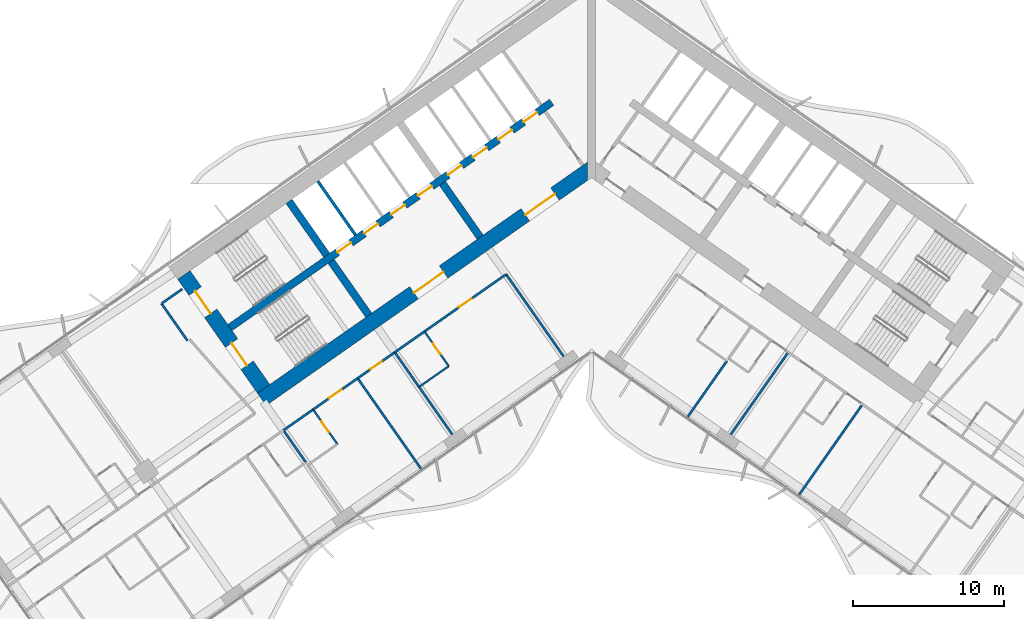
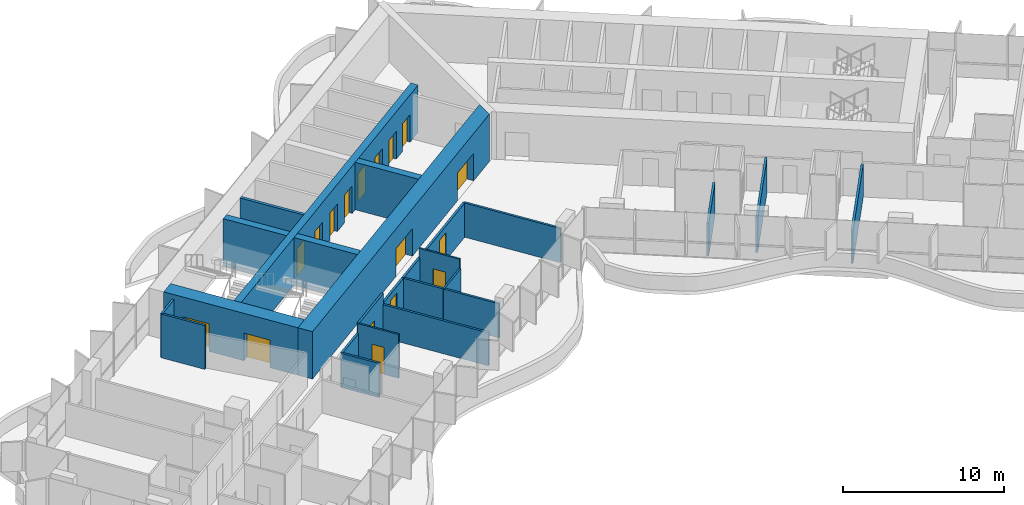
# One storey, part 14 of 24: 25 walls, 17 doors, 17 openings.
"""IFC4 building model written with IfcOpenShell, lengths in metres."""

from ifc_helpers import new_model, si_unit, direction, frame, frame_2d, origin, place, context, subcontext, project, spatial, polyline, rectangle, outline, extrude, material, layer, layer_set, type_object, element, fill, save


model = new_model("IFC4")

# Units and contexts
model_context = context("Model", 3, precision=1e-05, world=origin(), true_north=direction((0.0, 1.0)))
body_context = subcontext(model_context, "Body", "Model", "MODEL_VIEW")
ifc_project = project(units=[si_unit("LENGTHUNIT", "METRE"), si_unit("AREAUNIT", "SQUARE_METRE"), si_unit("VOLUMEUNIT", "CUBIC_METRE"), si_unit("PLANEANGLEUNIT", "RADIAN"), si_unit("MASSUNIT", "GRAM", prefix="KILO")], contexts=[model_context])

# Site, building, storey
site_placement = place(None, origin())
site = spatial("IfcSite", under=ifc_project, at=site_placement, CompositionType="ELEMENT")
building_placement = place(site_placement, origin())
building = spatial("IfcBuilding", under=site, at=building_placement, Name="Tel Ilan Convention Tower", CompositionType="ELEMENT")
storey_placement = place(building_placement, frame((0.0, 0.0, 65.300048828125)))
storey = spatial("IfcBuildingStorey", under=building, at=storey_placement, Name="L11", CompositionType="ELEMENT", Elevation=65.300048828125)

# Wall, openings, doors
ifc_material_1 = material(Name="Concrete C60/75", Category="concrete")
ifc_layer_1 = layer(ifc_material_1, 1.0)
ifc_layer_set_1 = layer_set([ifc_layer_1], Name="Core Shear Wall 1000 mm C60/75")
wall_type_1 = type_object("IfcWallType", Name="Core Shear Wall 1000 mm C60/75", PredefinedType="SHEAR", material=ifc_layer_set_1)
wall_1_placement = place(storey_placement, frame((0.036865234375, -0.584716796875, 0.0), z_axis=(0.0, 0.0, 1.0), x_axis=(-0.819157152511, -0.573569140985, 0.0)))
wall_1 = element("IfcWall", 1, at=wall_1_placement, inside=storey, type_object=wall_type_1, Name="L11 core wall W-front", PredefinedType="SHEAR", context=body_context, shape_type="SweptSolid", body=[
    extrude(outline(polyline([(26.69482421875, 0.500244140625), (0.7001953125, 0.499755859375), (0.0, -0.5), (26.69482421875, -0.499755859375), (26.69482421875, 0.500244140625)])), origin(), (0.0, 0.0, 1.0), 3.599853515625),
])
opening_1_placement = place(wall_1_placement, frame((2.994873046875, 0.0, 0.0)))
opening_1 = element("IfcOpeningElement", 2, at=opening_1_placement, cuts=wall_1, Name="Opening CD1205", PredefinedType="OPENING", context=body_context, shape_type="SweptSolid", body=[
    extrude(rectangle(XDim=2.39990234375, YDim=2.10009765625, at=frame_2d((1.199951171875, 1.050048828125))), frame((0.0, 0.510009765625, 0.0), z_axis=(0.0, -1.0, 0.0), x_axis=(1.0, 0.0, 0.0)), (0.0, 0.0, 1.0), 1.02001953125),
])
opening_2_placement = place(wall_1_placement, frame((11.994873046875, 0.0, 0.0)))
opening_2 = element("IfcOpeningElement", 3, at=opening_2_placement, cuts=wall_1, Name="Opening CD1206", PredefinedType="OPENING", context=body_context, shape_type="SweptSolid", body=[
    extrude(rectangle(XDim=2.39990234375, YDim=2.10009765625, at=frame_2d((1.199951171875, 1.050048828125))), frame((0.0, 0.510009765625, 0.0), z_axis=(0.0, -1.0, 0.0), x_axis=(1.0, 0.0, 0.0)), (0.0, 0.0, 1.0), 1.02001953125),
])
ifc_material_2 = material(Name="Glazed Aluminium Door Leaf", Category="aluminium")
door_type_1 = type_object("IfcDoorType", Name="Lobby Opening Door 2400 x 2100 FD60S", OperationType="NOTDEFINED", PredefinedType="DOOR", material=ifc_material_2)
door_1_placement = place(opening_1_placement, origin())
door_1 = element("IfcDoor", 4, at=door_1_placement, inside=storey, type_object=door_type_1, Name="Lift Lobby LR1-LR4 opening", OperationType="DOUBLE_DOOR_SINGLE_SWING", OverallHeight=2.10009765625, OverallWidth=2.39990234375, PredefinedType="DOOR", context=body_context, shape_type="SweptSolid", body=[
    extrude(rectangle(XDim=2.39990234375, YDim=2.10009765625, at=frame_2d((1.199951171875, 1.050048828125))), frame((0.0, 0.02490234375, 0.0), z_axis=(0.0, -1.0, 0.0), x_axis=(1.0, 0.0, 0.0)), (0.0, 0.0, 1.0), 0.050048828125),
])
fill(opening_1, door_1)
door_2_placement = place(opening_2_placement, origin())
door_2 = element("IfcDoor", 5, at=door_2_placement, inside=storey, type_object=door_type_1, Name="Lift Lobby LR5-LR8 opening", OperationType="DOUBLE_DOOR_SINGLE_SWING", OverallHeight=2.10009765625, OverallWidth=2.39990234375, PredefinedType="DOOR", context=body_context, shape_type="SweptSolid", body=[
    extrude(rectangle(XDim=2.39990234375, YDim=2.10009765625, at=frame_2d((1.199951171875, 1.050048828125))), frame((0.0, 0.02490234375, 0.0), z_axis=(0.0, -1.0, 0.0), x_axis=(1.0, 0.0, 0.0)), (0.0, 0.0, 1.0), 0.050048828125),
])
fill(opening_2, door_2)

wall_2_placement = place(storey_placement, frame((-21.70751953125, -15.19970703125, 0.0), z_axis=(0.0, 0.0, 1.0), x_axis=(-0.573576324356, 0.819152122709, 0.0)))
wall_2 = element("IfcWall", 6, at=wall_2_placement, inside=storey, type_object=wall_type_1, Name="L11 core wall W-end", PredefinedType="SHEAR", context=body_context, shape_type="SweptSolid", body=[
    extrude(outline(polyline([(0.0, 0.5), (0.0, -0.5), (9.199951171875, -0.5), (9.199951171875, 0.5), (0.0, 0.5)])), origin(), (0.0, 0.0, 1.0), 3.599853515625),
])
opening_3_placement = place(wall_2_placement, frame((6.10009765625, 0.0, 0.0)))
opening_3 = element("IfcOpeningElement", 7, at=opening_3_placement, cuts=wall_2, Name="Opening SD1201", PredefinedType="OPENING", context=body_context, shape_type="SweptSolid", body=[
    extrude(rectangle(XDim=1.800048828125, YDim=2.10009765625, at=frame_2d((0.89990234375, 1.050048828125))), frame((0.0, 0.510009765625, 0.0), z_axis=(0.0, -1.0, 0.0), x_axis=(1.0, 0.0, 0.0)), (0.0, 0.0, 1.0), 1.02001953125),
])
opening_4_placement = place(wall_2_placement, frame((1.89990234375, 0.0, 0.0)))
opening_4 = element("IfcOpeningElement", 8, at=opening_4_placement, cuts=wall_2, Name="Opening SD1202", PredefinedType="OPENING", context=body_context, shape_type="SweptSolid", body=[
    extrude(rectangle(XDim=1.800048828125, YDim=2.10009765625, at=frame_2d((0.89990234375, 1.050048828125))), frame((0.0, 0.510009765625, 0.0), z_axis=(0.0, -1.0, 0.0), x_axis=(1.0, 0.0, 0.0)), (0.0, 0.0, 1.0), 1.02001953125),
])
ifc_material_3 = material(Name="Galvanised Steel Door Leaf", Category="steel")
door_type_2 = type_object("IfcDoorType", Name="Stair Fire Door 1800 x 2100 FD60S", OperationType="NOTDEFINED", PredefinedType="DOOR", material=ifc_material_3)
door_3_placement = place(opening_3_placement, origin())
door_3 = element("IfcDoor", 9, at=door_3_placement, inside=storey, type_object=door_type_2, Name="Stair S1 door", OperationType="DOUBLE_DOOR_SINGLE_SWING", OverallHeight=2.10009765625, OverallWidth=1.800048828125, PredefinedType="DOOR", context=body_context, shape_type="SweptSolid", body=[
    extrude(rectangle(XDim=1.800048828125, YDim=2.10009765625, at=frame_2d((0.89990234375, 1.050048828125))), frame((0.0, 0.02490234375, 0.0), z_axis=(0.0, -1.0, 0.0), x_axis=(1.0, 0.0, 0.0)), (0.0, 0.0, 1.0), 0.050048828125),
])
fill(opening_3, door_3)
door_4_placement = place(opening_4_placement, origin())
door_4 = element("IfcDoor", 10, at=door_4_placement, inside=storey, type_object=door_type_2, Name="Stair S2 door", OperationType="DOUBLE_DOOR_SINGLE_SWING", OverallHeight=2.10009765625, OverallWidth=1.800048828125, PredefinedType="DOOR", context=body_context, shape_type="SweptSolid", body=[
    extrude(rectangle(XDim=1.800048828125, YDim=2.10009765625, at=frame_2d((0.89990234375, 1.050048828125))), frame((0.0, 0.02490234375, 0.0), z_axis=(0.0, -1.0, 0.0), x_axis=(1.0, 0.0, 0.0)), (0.0, 0.0, 1.0), 0.050048828125),
])
fill(opening_4, door_4)

# Walls
ifc_material_4 = material(Name="Concrete C60/75", Category="concrete")
ifc_layer_2 = layer(ifc_material_4, 0.5)
ifc_layer_set_2 = layer_set([ifc_layer_2], Name="Core Shear Wall 500 mm C60/75")
wall_type_2 = type_object("IfcWallType", Name="Core Shear Wall 500 mm C60/75", PredefinedType="SHEAR", material=ifc_layer_set_2)
wall_3_placement = place(storey_placement, frame((-7.372314453125, -5.162109375, 0.0), z_axis=(0.0, 0.0, 1.0), x_axis=(-0.573594173421, 0.819139624372, 0.0)))
element("IfcWall", 11, at=wall_3_placement, inside=storey, type_object=wall_type_2, Name="L11 core wall W-cross1-1", PredefinedType="SHEAR", context=body_context, shape_type="SweptSolid", body=[
    extrude(outline(polyline([(4.349853515625, 0.25), (0.0, 0.250244140625), (0.0, -0.25), (4.349853515625, -0.25), (4.349853515625, 0.25)])), origin(), (0.0, 0.0, 1.0), 3.599853515625),
])
wall_4_placement = place(storey_placement, frame((-14.74462890625, -10.324462890625, 0.0), z_axis=(0.0, 0.0, 1.0), x_axis=(-0.57356780395, 0.819158088694, 0.0)))
element("IfcWall", 12, at=wall_4_placement, inside=storey, type_object=wall_type_2, Name="L11 core wall W-cross2-1", PredefinedType="SHEAR", context=body_context, shape_type="SweptSolid", body=[
    extrude(outline(polyline([(4.35009765625, 0.250244140625), (0.0, 0.25), (0.0, -0.25), (4.35009765625, -0.25), (4.35009765625, 0.250244140625)])), origin(), (0.0, 0.0, 1.0), 3.599853515625),
])
wall_5_placement = place(storey_placement, frame((-17.526611328125, -6.3515625, 0.0), z_axis=(0.0, 0.0, 1.0), x_axis=(-0.573530143085, 0.819184457233, 0.0)))
element("IfcWall", 13, at=wall_5_placement, inside=storey, type_object=wall_type_2, Name="L11 core wall W-cross2-2", PredefinedType="SHEAR", context=body_context, shape_type="SweptSolid", body=[
    extrude(outline(polyline([(4.35009765625, -0.249755859375), (4.35009765625, 0.250244140625), (0.0, 0.25), (0.0, -0.25), (4.35009765625, -0.249755859375)])), origin(), (0.0, 0.0, 1.0), 3.599853515625),
])

# Wall, openings, doors
wall_6_placement = place(storey_placement, frame((-2.638427734375, 3.76806640625, 0.0), z_axis=(0.0, 0.0, 1.0), x_axis=(-0.819148977158, -0.573580816643, 0.0)))
wall_6 = element("IfcWall", 14, at=wall_6_placement, inside=storey, type_object=wall_type_2, Name="L11 core wall W-spine", PredefinedType="SHEAR", context=body_context, shape_type="SweptSolid", body=[
    extrude(outline(polyline([(26.0, 0.249755859375), (0.0, 0.25), (0.0, -0.25), (26.0, -0.250244140625), (26.0, 0.249755859375)])), origin(), (0.0, 0.0, 1.0), 3.599853515625),
])
opening_5_placement = place(wall_6_placement, frame((1.168701171875, 0.0, 0.0)))
opening_5 = element("IfcOpeningElement", 15, at=opening_5_placement, cuts=wall_6, Name="Opening LD1204", PredefinedType="OPENING", context=body_context, shape_type="SweptSolid", body=[
    extrude(rectangle(XDim=1.10009765625, YDim=2.10009765625, at=frame_2d((0.550048828125, 1.050048828125))), frame((0.0, 0.260009765625, 0.0), z_axis=(0.0, -1.0, 0.0), x_axis=(1.0, 0.0, 0.0)), (0.0, 0.0, 1.0), 0.52001953125),
])
opening_6_placement = place(wall_6_placement, frame((3.206298828125, 0.0, 0.0)))
opening_6 = element("IfcOpeningElement", 16, at=opening_6_placement, cuts=wall_6, Name="Opening LD1205", PredefinedType="OPENING", context=body_context, shape_type="SweptSolid", body=[
    extrude(rectangle(XDim=1.10009765625, YDim=2.10009765625, at=frame_2d((0.550048828125, 1.050048828125))), frame((0.0, 0.260009765625, 0.0), z_axis=(0.0, -1.0, 0.0), x_axis=(1.0, 0.0, 0.0)), (0.0, 0.0, 1.0), 0.52001953125),
])
opening_7_placement = place(wall_6_placement, frame((5.24365234375, 0.0, 0.0)))
opening_7 = element("IfcOpeningElement", 17, at=opening_7_placement, cuts=wall_6, Name="Opening LD1206", PredefinedType="OPENING", context=body_context, shape_type="SweptSolid", body=[
    extrude(rectangle(XDim=1.10009765625, YDim=2.10009765625, at=frame_2d((0.550048828125, 1.050048828125))), frame((0.0, 0.260009765625, 0.0), z_axis=(0.0, -1.0, 0.0), x_axis=(1.0, 0.0, 0.0)), (0.0, 0.0, 1.0), 0.52001953125),
])
opening_8_placement = place(wall_6_placement, frame((7.28125, 0.0, 0.0)))
opening_8 = element("IfcOpeningElement", 18, at=opening_8_placement, cuts=wall_6, Name="Opening LD1207", PredefinedType="OPENING", context=body_context, shape_type="SweptSolid", body=[
    extrude(rectangle(XDim=1.10009765625, YDim=2.10009765625, at=frame_2d((0.550048828125, 1.050048828125))), frame((0.0, 0.260009765625, 0.0), z_axis=(0.0, -1.0, 0.0), x_axis=(1.0, 0.0, 0.0)), (0.0, 0.0, 1.0), 0.52001953125),
])
opening_9_placement = place(wall_6_placement, frame((9.6875, 0.0, 0.0)))
opening_9 = element("IfcOpeningElement", 19, at=opening_9_placement, cuts=wall_6, Name="Opening LD1208", PredefinedType="OPENING", context=body_context, shape_type="SweptSolid", body=[
    extrude(rectangle(XDim=1.10009765625, YDim=2.10009765625, at=frame_2d((0.550048828125, 1.050048828125))), frame((0.0, 0.260009765625, 0.0), z_axis=(0.0, -1.0, 0.0), x_axis=(1.0, 0.0, 0.0)), (0.0, 0.0, 1.0), 0.52001953125),
])
opening_10_placement = place(wall_6_placement, frame((11.862548828125, 0.0, 0.0)))
opening_10 = element("IfcOpeningElement", 20, at=opening_10_placement, cuts=wall_6, Name="Opening LD1209", PredefinedType="OPENING", context=body_context, shape_type="SweptSolid", body=[
    extrude(rectangle(XDim=1.10009765625, YDim=2.10009765625, at=frame_2d((0.550048828125, 1.050048828125))), frame((0.0, 0.260009765625, 0.0), z_axis=(0.0, -1.0, 0.0), x_axis=(1.0, 0.0, 0.0)), (0.0, 0.0, 1.0), 0.52001953125),
])
opening_11_placement = place(wall_6_placement, frame((14.03759765625, 0.0, 0.0)))
opening_11 = element("IfcOpeningElement", 21, at=opening_11_placement, cuts=wall_6, Name="Opening LD1210", PredefinedType="OPENING", context=body_context, shape_type="SweptSolid", body=[
    extrude(rectangle(XDim=1.10009765625, YDim=2.10009765625, at=frame_2d((0.550048828125, 1.050048828125))), frame((0.0, 0.260009765625, 0.0), z_axis=(0.0, -1.0, 0.0), x_axis=(1.0, 0.0, 0.0)), (0.0, 0.0, 1.0), 0.52001953125),
])
opening_12_placement = place(wall_6_placement, frame((16.21240234375, 0.0, 0.0)))
opening_12 = element("IfcOpeningElement", 22, at=opening_12_placement, cuts=wall_6, Name="Opening LD1211", PredefinedType="OPENING", context=body_context, shape_type="SweptSolid", body=[
    extrude(rectangle(XDim=1.10009765625, YDim=2.10009765625, at=frame_2d((0.550048828125, 1.050048828125))), frame((0.0, 0.260009765625, 0.0), z_axis=(0.0, -1.0, 0.0), x_axis=(1.0, 0.0, 0.0)), (0.0, 0.0, 1.0), 0.52001953125),
])
ifc_material_5 = material(Name="Stainless Steel Sliding Door Leaf", Category="steel")
door_type_3 = type_object("IfcDoorType", Name="Lift Landing Door 1100 x 2100 FD120", OperationType="NOTDEFINED", PredefinedType="DOOR", material=ifc_material_5)
door_5_placement = place(opening_5_placement, origin())
door_5 = element("IfcDoor", 23, at=door_5_placement, inside=storey, type_object=door_type_3, Name="Lift LR1 landing door", OperationType="SLIDING_TO_LEFT", OverallHeight=2.10009765625, OverallWidth=1.10009765625, PredefinedType="DOOR", context=body_context, shape_type="SweptSolid", body=[
    extrude(rectangle(XDim=1.10009765625, YDim=2.10009765625, at=frame_2d((0.550048828125, 1.050048828125))), frame((0.0, 0.02490234375, 0.0), z_axis=(0.0, -1.0, 0.0), x_axis=(1.0, 0.0, 0.0)), (0.0, 0.0, 1.0), 0.050048828125),
])
fill(opening_5, door_5)
door_6_placement = place(opening_6_placement, origin())
door_6 = element("IfcDoor", 24, at=door_6_placement, inside=storey, type_object=door_type_3, Name="Lift LR2 landing door", OperationType="SLIDING_TO_RIGHT", OverallHeight=2.10009765625, OverallWidth=1.10009765625, PredefinedType="DOOR", context=body_context, shape_type="SweptSolid", body=[
    extrude(rectangle(XDim=1.10009765625, YDim=2.10009765625, at=frame_2d((0.550048828125, 1.050048828125))), frame((0.0, 0.02490234375, 0.0), z_axis=(0.0, -1.0, 0.0), x_axis=(1.0, 0.0, 0.0)), (0.0, 0.0, 1.0), 0.050048828125),
])
fill(opening_6, door_6)
door_7_placement = place(opening_7_placement, origin())
door_7 = element("IfcDoor", 25, at=door_7_placement, inside=storey, type_object=door_type_3, Name="Lift LR3 landing door", OperationType="SLIDING_TO_LEFT", OverallHeight=2.10009765625, OverallWidth=1.10009765625, PredefinedType="DOOR", context=body_context, shape_type="SweptSolid", body=[
    extrude(rectangle(XDim=1.10009765625, YDim=2.10009765625, at=frame_2d((0.550048828125, 1.050048828125))), frame((0.0, 0.02490234375, 0.0), z_axis=(0.0, -1.0, 0.0), x_axis=(1.0, 0.0, 0.0)), (0.0, 0.0, 1.0), 0.050048828125),
])
fill(opening_7, door_7)
door_8_placement = place(opening_8_placement, origin())
door_8 = element("IfcDoor", 26, at=door_8_placement, inside=storey, type_object=door_type_3, Name="Lift LR4 landing door", OperationType="SLIDING_TO_RIGHT", OverallHeight=2.10009765625, OverallWidth=1.10009765625, PredefinedType="DOOR", context=body_context, shape_type="SweptSolid", body=[
    extrude(rectangle(XDim=1.10009765625, YDim=2.10009765625, at=frame_2d((0.550048828125, 1.050048828125))), frame((0.0, 0.02490234375, 0.0), z_axis=(0.0, -1.0, 0.0), x_axis=(1.0, 0.0, 0.0)), (0.0, 0.0, 1.0), 0.050048828125),
])
fill(opening_8, door_8)
door_9_placement = place(opening_9_placement, origin())
door_9 = element("IfcDoor", 27, at=door_9_placement, inside=storey, type_object=door_type_3, Name="Lift LR5 landing door", OperationType="SLIDING_TO_LEFT", OverallHeight=2.10009765625, OverallWidth=1.10009765625, PredefinedType="DOOR", context=body_context, shape_type="SweptSolid", body=[
    extrude(rectangle(XDim=1.10009765625, YDim=2.10009765625, at=frame_2d((0.550048828125, 1.050048828125))), frame((0.0, 0.02490234375, 0.0), z_axis=(0.0, -1.0, 0.0), x_axis=(1.0, 0.0, 0.0)), (0.0, 0.0, 1.0), 0.050048828125),
])
fill(opening_9, door_9)
door_10_placement = place(opening_10_placement, origin())
door_10 = element("IfcDoor", 28, at=door_10_placement, inside=storey, type_object=door_type_3, Name="Lift LR6 landing door", OperationType="SLIDING_TO_RIGHT", OverallHeight=2.10009765625, OverallWidth=1.10009765625, PredefinedType="DOOR", context=body_context, shape_type="SweptSolid", body=[
    extrude(rectangle(XDim=1.10009765625, YDim=2.10009765625, at=frame_2d((0.550048828125, 1.050048828125))), frame((0.0, 0.02490234375, 0.0), z_axis=(0.0, -1.0, 0.0), x_axis=(1.0, 0.0, 0.0)), (0.0, 0.0, 1.0), 0.050048828125),
])
fill(opening_10, door_10)
door_11_placement = place(opening_11_placement, origin())
door_11 = element("IfcDoor", 29, at=door_11_placement, inside=storey, type_object=door_type_3, Name="Lift LR7 landing door", OperationType="SLIDING_TO_LEFT", OverallHeight=2.10009765625, OverallWidth=1.10009765625, PredefinedType="DOOR", context=body_context, shape_type="SweptSolid", body=[
    extrude(rectangle(XDim=1.10009765625, YDim=2.10009765625, at=frame_2d((0.550048828125, 1.050048828125))), frame((0.0, 0.02490234375, 0.0), z_axis=(0.0, -1.0, 0.0), x_axis=(1.0, 0.0, 0.0)), (0.0, 0.0, 1.0), 0.050048828125),
])
fill(opening_11, door_11)
door_12_placement = place(opening_12_placement, origin())
door_12 = element("IfcDoor", 30, at=door_12_placement, inside=storey, type_object=door_type_3, Name="Lift LR8 landing door", OperationType="SLIDING_TO_RIGHT", OverallHeight=2.10009765625, OverallWidth=1.10009765625, PredefinedType="DOOR", context=body_context, shape_type="SweptSolid", body=[
    extrude(rectangle(XDim=1.10009765625, YDim=2.10009765625, at=frame_2d((0.550048828125, 1.050048828125))), frame((0.0, 0.02490234375, 0.0), z_axis=(0.0, -1.0, 0.0), x_axis=(1.0, 0.0, 0.0)), (0.0, 0.0, 1.0), 0.050048828125),
])
fill(opening_12, door_12)

# Wall, opening, door
ifc_material_6 = material(Name="Plasterboard on Steel Studs", Category="steel")
ifc_layer_3 = layer(ifc_material_6, 0.14990234375)
ifc_layer_set_3 = layer_set([ifc_layer_3], Name="Fire-rated Partition 150 EI 60")
wall_type_3 = type_object("IfcWallType", Name="Fire-rated Partition 150 EI 60", PredefinedType="PARTITIONING", material=ifc_layer_set_3)
wall_7_placement = place(storey_placement, frame((-5.651611328125, -7.61962890625, 0.0), z_axis=(0.0, 0.0, 1.0), x_axis=(-0.819155459934, -0.573571558274, 0.0)))
wall_7 = element("IfcWall", 31, at=wall_7_placement, inside=storey, type_object=wall_type_3, Name="Partition 028", PredefinedType="PARTITIONING", context=body_context, shape_type="SweptSolid", body=[
    extrude(rectangle(XDim=6.60107421875, YDim=0.14990234375, at=frame_2d((3.300537109375, 0.0))), origin(), (0.0, 0.0, 1.0), 2.599853515625),
])
opening_13_placement = place(wall_7_placement, frame((2.800048828125, 0.0, 0.0)))
opening_13 = element("IfcOpeningElement", 32, at=opening_13_placement, cuts=wall_7, Name="Opening L11-002", PredefinedType="OPENING", context=body_context, shape_type="SweptSolid", body=[
    extrude(rectangle(XDim=1.0, YDim=2.10009765625, at=frame_2d((0.5, 1.050048828125))), frame((0.0, 0.0849609375, 0.0), z_axis=(0.0, -1.0, 0.0), x_axis=(1.0, 0.0, 0.0)), (0.0, 0.0, 1.0), 0.169921875),
])
ifc_material_7 = material(Name="Timber Door Leaf in Steel Frame", Category="steel")
door_type_4 = type_object("IfcDoorType", Name="Hotel Room Entrance Fire Door 1000x2100", OperationType="NOTDEFINED", PredefinedType="DOOR", material=ifc_material_7)
door_13_placement = place(opening_13_placement, origin())
door_13 = element("IfcDoor", 33, at=door_13_placement, inside=storey, type_object=door_type_4, Name="Door L11-002", OperationType="SINGLE_SWING_LEFT", OverallHeight=2.10009765625, OverallWidth=1.0, PredefinedType="DOOR", context=body_context, shape_type="SweptSolid", body=[
    extrude(rectangle(XDim=1.0, YDim=2.10009765625, at=frame_2d((0.5, 1.050048828125))), frame((0.0, 0.02490234375, 0.0), z_axis=(0.0, -1.0, 0.0), x_axis=(1.0, 0.0, 0.0)), (0.0, 0.0, 1.0), 0.050048828125),
])
fill(opening_13, door_13)

# Wall
wall_8_placement = place(storey_placement, frame((-11.056396484375, -11.404052734375, 0.0), z_axis=(0.0, 0.0, 1.0), x_axis=(-0.819146032251, -0.573585022335, 0.0)))
element("IfcWall", 34, at=wall_8_placement, inside=storey, type_object=wall_type_3, Name="Partition 029", PredefinedType="PARTITIONING", context=body_context, shape_type="SweptSolid", body=[
    extrude(rectangle(XDim=2.404052734375, YDim=0.14990234375, at=frame_2d((1.2021484375, 0.0))), origin(), (0.0, 0.0, 1.0), 2.599853515625),
])

# Wall, opening, door
wall_9_placement = place(storey_placement, frame((-13.0224609375, -12.78076171875, 0.0), z_axis=(0.0, 0.0, 1.0), x_axis=(-0.81916700466, -0.573555070134, 0.0)))
wall_9 = element("IfcWall", 35, at=wall_9_placement, inside=storey, type_object=wall_type_3, Name="Partition 030", PredefinedType="PARTITIONING", context=body_context, shape_type="SweptSolid", body=[
    extrude(rectangle(XDim=3.00390625, YDim=0.14990234375, at=frame_2d((1.501953125, 0.0))), origin(), (0.0, 0.0, 1.0), 2.599853515625),
])
opening_14_placement = place(wall_9_placement, frame((1.052001953125, 0.0, 0.0)))
opening_14 = element("IfcOpeningElement", 36, at=opening_14_placement, cuts=wall_9, Name="Opening L11-003", PredefinedType="OPENING", context=body_context, shape_type="SweptSolid", body=[
    extrude(rectangle(XDim=0.89990234375, YDim=2.10009765625, at=frame_2d((0.449951171875, 1.050048828125))), frame((0.0, 0.0849609375, 0.0), z_axis=(0.0, -1.0, 0.0), x_axis=(1.0, 0.0, 0.0)), (0.0, 0.0, 1.0), 0.169921875),
])
ifc_material_8 = material(Name="Timber Door Leaf in Steel Frame", Category="steel")
door_type_5 = type_object("IfcDoorType", Name="Room Fire Door 900x2100", OperationType="NOTDEFINED", PredefinedType="DOOR", material=ifc_material_8)
door_14_placement = place(opening_14_placement, origin())
door_14 = element("IfcDoor", 37, at=door_14_placement, inside=storey, type_object=door_type_5, Name="Door L11-003", OperationType="SINGLE_SWING_RIGHT", OverallHeight=2.10009765625, OverallWidth=0.89990234375, PredefinedType="DOOR", context=body_context, shape_type="SweptSolid", body=[
    extrude(rectangle(XDim=0.89990234375, YDim=2.10009765625, at=frame_2d((0.449951171875, 1.050048828125))), frame((0.0, 0.02490234375, 0.0), z_axis=(0.0, -1.0, 0.0), x_axis=(1.0, 0.0, 0.0)), (0.0, 0.0, 1.0), 0.050048828125),
])
fill(opening_14, door_14)

wall_10_placement = place(storey_placement, frame((-15.479736328125, -14.50146484375, 0.0), z_axis=(0.0, 0.0, 1.0), x_axis=(-0.819145961204, -0.573585123798, 0.0)))
wall_10 = element("IfcWall", 38, at=wall_10_placement, inside=storey, type_object=wall_type_3, Name="Partition 031", PredefinedType="PARTITIONING", context=body_context, shape_type="SweptSolid", body=[
    extrude(rectangle(XDim=3.60302734375, YDim=0.14990234375, at=frame_2d((1.801513671875, 0.0))), origin(), (0.0, 0.0, 1.0), 3.320068359375),
])
opening_15_placement = place(wall_10_placement, frame((1.302001953125, 0.0, 0.0)))
opening_15 = element("IfcOpeningElement", 39, at=opening_15_placement, cuts=wall_10, Name="Opening L11-005", PredefinedType="OPENING", context=body_context, shape_type="SweptSolid", body=[
    extrude(rectangle(XDim=1.0, YDim=2.10009765625, at=frame_2d((0.5, 1.050048828125))), frame((0.0, 0.0849609375, 0.0), z_axis=(0.0, -1.0, 0.0), x_axis=(1.0, 0.0, 0.0)), (0.0, 0.0, 1.0), 0.169921875),
])
door_15_placement = place(opening_15_placement, origin())
door_15 = element("IfcDoor", 40, at=door_15_placement, inside=storey, type_object=door_type_4, Name="Door L11-005", OperationType="SINGLE_SWING_LEFT", OverallHeight=2.10009765625, OverallWidth=1.0, PredefinedType="DOOR", context=body_context, shape_type="SweptSolid", body=[
    extrude(rectangle(XDim=1.0, YDim=2.10009765625, at=frame_2d((0.5, 1.050048828125))), frame((0.0, 0.02490234375, 0.0), z_axis=(0.0, -1.0, 0.0), x_axis=(1.0, 0.0, 0.0)), (0.0, 0.0, 1.0), 0.050048828125),
])
fill(opening_15, door_15)

# Walls
wall_11_placement = place(storey_placement, frame((-18.4287109375, -16.56640625, 0.0), z_axis=(0.0, 0.0, 1.0), x_axis=(-0.819146032251, -0.573585022335, 0.0)))
element("IfcWall", 41, at=wall_11_placement, inside=storey, type_object=wall_type_3, Name="Partition 032", PredefinedType="PARTITIONING", context=body_context, shape_type="SweptSolid", body=[
    extrude(rectangle(XDim=2.404052734375, YDim=0.14990234375, at=frame_2d((1.2021484375, 0.0))), origin(), (0.0, 0.0, 1.0), 2.599853515625),
])
wall_12_placement = place(storey_placement, frame((8.9599609375, -13.35546875, 0.0), z_axis=(0.0, 0.0, 1.0), x_axis=(-0.573564311442, -0.819160534108, 0.0)))
element("IfcWall", 42, at=wall_12_placement, inside=storey, type_object=wall_type_3, Name="Partition 054", PredefinedType="PARTITIONING", context=body_context, shape_type="SweptSolid", body=[
    extrude(rectangle(XDim=4.499267578125, YDim=0.14990234375, at=frame_2d((2.24951171875, 0.0))), origin(), (0.0, 0.0, 1.0), 2.5),
])
wall_13_placement = place(storey_placement, frame((13.02392578125, -12.78173828125, 0.0), z_axis=(0.0, 0.0, 1.0), x_axis=(-0.573556251799, -0.819166177294, 0.0)))
element("IfcWall", 43, at=wall_13_placement, inside=storey, type_object=wall_type_3, Name="Partition 059", PredefinedType="PARTITIONING", context=body_context, shape_type="SweptSolid", body=[
    extrude(rectangle(XDim=6.630126953125, YDim=0.14990234375, at=frame_2d((3.31494140625, 0.0))), origin(), (0.0, 0.0, 1.0), 2.599853515625),
])
wall_14_placement = place(storey_placement, frame((17.93896484375, -16.223388671875, 0.0), z_axis=(0.0, 0.0, 1.0), x_axis=(-0.573594765376, -0.819139209862, 0.0)))
element("IfcWall", 44, at=wall_14_placement, inside=storey, type_object=wall_type_3, Name="Partition 064", PredefinedType="PARTITIONING", context=body_context, shape_type="SweptSolid", body=[
    extrude(rectangle(XDim=7.300048828125, YDim=0.14990234375, at=frame_2d((3.64990234375, 0.0))), origin(), (0.0, 0.0, 1.0), 2.5),
])
wall_15_placement = place(storey_placement, frame((-1.848876953125, -13.050537109375, 0.0), z_axis=(0.0, 0.0, 1.0), x_axis=(-0.573575988258, 0.819152358047, 0.0)))
element("IfcWall", 45, at=wall_15_placement, inside=storey, type_object=wall_type_3, Name="Partition 078", PredefinedType="PARTITIONING", context=body_context, shape_type="SweptSolid", body=[
    extrude(rectangle(XDim=6.632080078125, YDim=0.14990234375, at=frame_2d((3.31591796875, 0.0))), origin(), (0.0, 0.0, 1.0), 2.599853515625),
])
wall_16_placement = place(storey_placement, frame((-26.74609375, -12.013671875, 0.0), z_axis=(0.0, 0.0, 1.0), x_axis=(-0.573560650686, 0.819163097304, 0.0)))
element("IfcWall", 46, at=wall_16_placement, inside=storey, type_object=wall_type_3, Name="Partition 079", PredefinedType="PARTITIONING", context=body_context, shape_type="SweptSolid", body=[
    extrude(rectangle(XDim=3.0, YDim=0.14990234375, at=frame_2d((1.5, 0.0))), origin(), (0.0, 0.0, 1.0), 3.320068359375),
])
wall_17_placement = place(storey_placement, frame((-28.466796875, -9.55615234375, 0.0), z_axis=(0.0, 0.0, 1.0), x_axis=(0.819109000826, 0.573637903879, 0.0)))
element("IfcWall", 47, at=wall_17_placement, inside=storey, type_object=wall_type_3, Name="Partition 080", PredefinedType="PARTITIONING", context=body_context, shape_type="SweptSolid", body=[
    extrude(rectangle(XDim=1.679931640625, YDim=0.14990234375, at=frame_2d((0.83984375, 0.0))), origin(), (0.0, 0.0, 1.0), 3.320068359375),
])
wall_18_placement = place(storey_placement, frame((-9.22119140625, -18.212890625, 0.0), z_axis=(0.0, 0.0, 1.0), x_axis=(-0.573594994199, 0.819139049631, 0.0)))
element("IfcWall", 48, at=wall_18_placement, inside=storey, type_object=wall_type_3, Name="Partition 094", PredefinedType="PARTITIONING", context=body_context, shape_type="SweptSolid", body=[
    extrude(rectangle(XDim=3.8291015625, YDim=0.14990234375, at=frame_2d((1.91455078125, 0.0))), origin(), (0.0, 0.0, 1.0), 2.599853515625),
])
wall_19_placement = place(storey_placement, frame((-11.41796875, -15.075439453125, 0.0), z_axis=(0.0, 0.0, 1.0), x_axis=(-0.573550118428, 0.819170471667, 0.0)))
element("IfcWall", 49, at=wall_19_placement, inside=storey, type_object=wall_type_3, Name="Partition 095", PredefinedType="PARTITIONING", context=body_context, shape_type="SweptSolid", body=[
    extrude(rectangle(XDim=2.800048828125, YDim=0.14990234375, at=frame_2d((1.39990234375, 0.0))), origin(), (0.0, 0.0, 1.0), 2.599853515625),
])
wall_20_placement = place(storey_placement, frame((-11.29443359375, -20.482421875, 0.0), z_axis=(0.0, 0.0, 1.0), x_axis=(-0.573572324301, 0.819154923562, 0.0)))
element("IfcWall", 50, at=wall_20_placement, inside=storey, type_object=wall_type_3, Name="Partition 096", PredefinedType="PARTITIONING", context=body_context, shape_type="SweptSolid", body=[
    extrude(rectangle(XDim=7.2998046875, YDim=0.14990234375, at=frame_2d((3.64990234375, 0.0))), origin(), (0.0, 0.0, 1.0), 2.5),
])
wall_21_placement = place(storey_placement, frame((-18.90380859375, -20.075439453125, 0.0), z_axis=(0.0, 0.0, 1.0), x_axis=(-0.573651240222, 0.819099660964, 0.0)))
element("IfcWall", 51, at=wall_21_placement, inside=storey, type_object=wall_type_3, Name="Partition 100", PredefinedType="PARTITIONING", context=body_context, shape_type="SweptSolid", body=[
    extrude(rectangle(XDim=2.60205078125, YDim=0.14990234375, at=frame_2d((1.301025390625, 0.0))), origin(), (0.0, 0.0, 1.0), 2.599853515625),
])
ifc_material_9 = material(Name="Concrete C30/37", Category="concrete")
ifc_layer_4 = layer(ifc_material_9, 0.199951171875)
ifc_layer_set_4 = layer_set([ifc_layer_4], Name="Lift Shaft Wall 200 mm C30/37")
wall_type_4 = type_object("IfcWallType", Name="Lift Shaft Wall 200 mm C30/37", PredefinedType="SOLIDWALL", material=ifc_layer_set_4)
wall_22_placement = place(storey_placement, frame((-15.6220703125, -5.017822265625, 0.0), z_axis=(0.0, 0.0, 1.0), x_axis=(-0.573594173421, 0.819139624372, 0.0)))
element("IfcWall", 52, at=wall_22_placement, inside=storey, type_object=wall_type_4, Name="L11 core wall bank-W2-p2", PredefinedType="SOLIDWALL", context=body_context, shape_type="SweptSolid", body=[
    extrude(rectangle(XDim=4.349853515625, YDim=0.199951171875, at=frame_2d((2.1748046875, 0.0))), origin(), (0.0, 0.0, 1.0), 3.599853515625),
])
ifc_material_10 = material(Name="Plasterboard on Steel Studs", Category="steel")
ifc_layer_5 = layer(ifc_material_10, 0.1201171875)
ifc_layer_set_5 = layer_set([ifc_layer_5], Name="Moisture-resistant Partition 120")
wall_type_5 = type_object("IfcWallType", Name="Moisture-resistant Partition 120", PredefinedType="PARTITIONING", material=ifc_layer_set_5)
wall_23_placement = place(storey_placement, frame((-11.41748046875, -15.076416015625, 0.0), z_axis=(0.0, 0.0, 1.0), x_axis=(0.819141114317, 0.573592045652, 0.0)))
element("IfcWall", 53, at=wall_23_placement, inside=storey, type_object=wall_type_5, Name="Partition 092", PredefinedType="PARTITIONING", context=body_context, shape_type="SweptSolid", body=[
    extrude(rectangle(XDim=2.400146484375, YDim=0.1201171875, at=frame_2d((1.2001953125, 0.0))), origin(), (0.0, 0.0, 1.0), 2.599853515625),
])

# Wall, opening, door
wall_24_placement = place(storey_placement, frame((-9.451171875, -13.6982421875, 0.0), z_axis=(0.0, 0.0, 1.0), x_axis=(-0.573591086599, 0.819141785879, 0.0)))
wall_24 = element("IfcWall", 54, at=wall_24_placement, inside=storey, type_object=wall_type_5, Name="Partition 093", PredefinedType="PARTITIONING", context=body_context, shape_type="SweptSolid", body=[
    extrude(rectangle(XDim=2.7998046875, YDim=0.1201171875, at=frame_2d((1.39990234375, 0.0))), origin(), (0.0, 0.0, 1.0), 3.320068359375),
])
opening_16_placement = place(wall_24_placement, frame((0.97509765625, 0.0, 0.0)))
opening_16 = element("IfcOpeningElement", 55, at=opening_16_placement, cuts=wall_24, Name="Opening L11-001", PredefinedType="OPENING", context=body_context, shape_type="SweptSolid", body=[
    extrude(rectangle(XDim=0.85009765625, YDim=2.050048828125, at=frame_2d((0.425048828125, 1.02490234375))), frame((0.0, 0.070068359375, 0.0), z_axis=(0.0, -1.0, 0.0), x_axis=(1.0, 0.0, 0.0)), (0.0, 0.0, 1.0), 0.14013671875),
])
ifc_material_11 = material(Name="Timber Door Leaf in Steel Frame", Category="steel")
door_type_6 = type_object("IfcDoorType", Name="Bathroom Timber Door 850x2050", OperationType="NOTDEFINED", PredefinedType="DOOR", material=ifc_material_11)
door_16_placement = place(opening_16_placement, origin())
door_16 = element("IfcDoor", 56, at=door_16_placement, inside=storey, type_object=door_type_6, Name="Door L11-001", OperationType="SINGLE_SWING_LEFT", OverallHeight=2.050048828125, OverallWidth=0.85009765625, PredefinedType="DOOR", context=body_context, shape_type="SweptSolid", body=[
    extrude(rectangle(XDim=0.85009765625, YDim=2.050048828125, at=frame_2d((0.425048828125, 1.02490234375))), frame((0.0, 0.02490234375, 0.0), z_axis=(0.0, -1.0, 0.0), x_axis=(1.0, 0.0, 0.0)), (0.0, 0.0, 1.0), 0.050048828125),
])
fill(opening_16, door_16)

wall_25_placement = place(storey_placement, frame((-16.823486328125, -18.860595703125, 0.0), z_axis=(0.0, 0.0, 1.0), x_axis=(-0.573608623498, 0.819129505664, 0.0)))
wall_25 = element("IfcWall", 57, at=wall_25_placement, inside=storey, type_object=wall_type_5, Name="Partition 098", PredefinedType="PARTITIONING", context=body_context, shape_type="SweptSolid", body=[
    extrude(rectangle(XDim=2.800048828125, YDim=0.1201171875, at=frame_2d((1.39990234375, 0.0))), origin(), (0.0, 0.0, 1.0), 3.320068359375),
])
opening_17_placement = place(wall_25_placement, frame((0.97509765625, 0.0, 0.0)))
opening_17 = element("IfcOpeningElement", 58, at=opening_17_placement, cuts=wall_25, Name="Opening L11-004", PredefinedType="OPENING", context=body_context, shape_type="SweptSolid", body=[
    extrude(rectangle(XDim=0.85009765625, YDim=2.050048828125, at=frame_2d((0.425048828125, 1.02490234375))), frame((0.0, 0.070068359375, 0.0), z_axis=(0.0, -1.0, 0.0), x_axis=(1.0, 0.0, 0.0)), (0.0, 0.0, 1.0), 0.14013671875),
])
door_17_placement = place(opening_17_placement, origin())
door_17 = element("IfcDoor", 59, at=door_17_placement, inside=storey, type_object=door_type_6, Name="Door L11-004", OperationType="SINGLE_SWING_RIGHT", OverallHeight=2.050048828125, OverallWidth=0.85009765625, PredefinedType="DOOR", context=body_context, shape_type="SweptSolid", body=[
    extrude(rectangle(XDim=0.85009765625, YDim=2.050048828125, at=frame_2d((0.425048828125, 1.02490234375))), frame((0.0, 0.02490234375, 0.0), z_axis=(0.0, -1.0, 0.0), x_axis=(1.0, 0.0, 0.0)), (0.0, 0.0, 1.0), 0.050048828125),
])
fill(opening_17, door_17)

save(model, "model.ifc")
